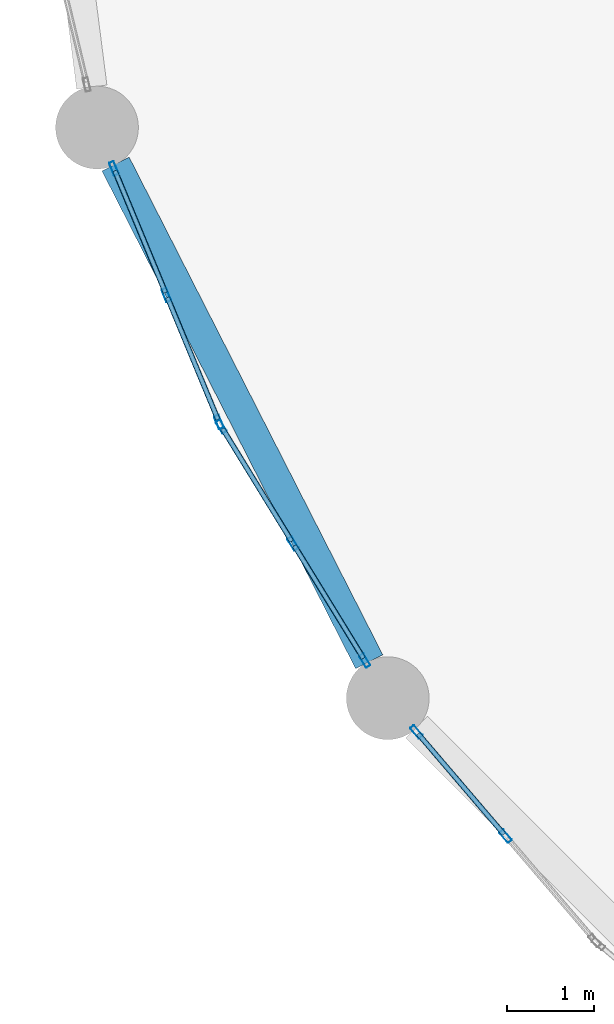
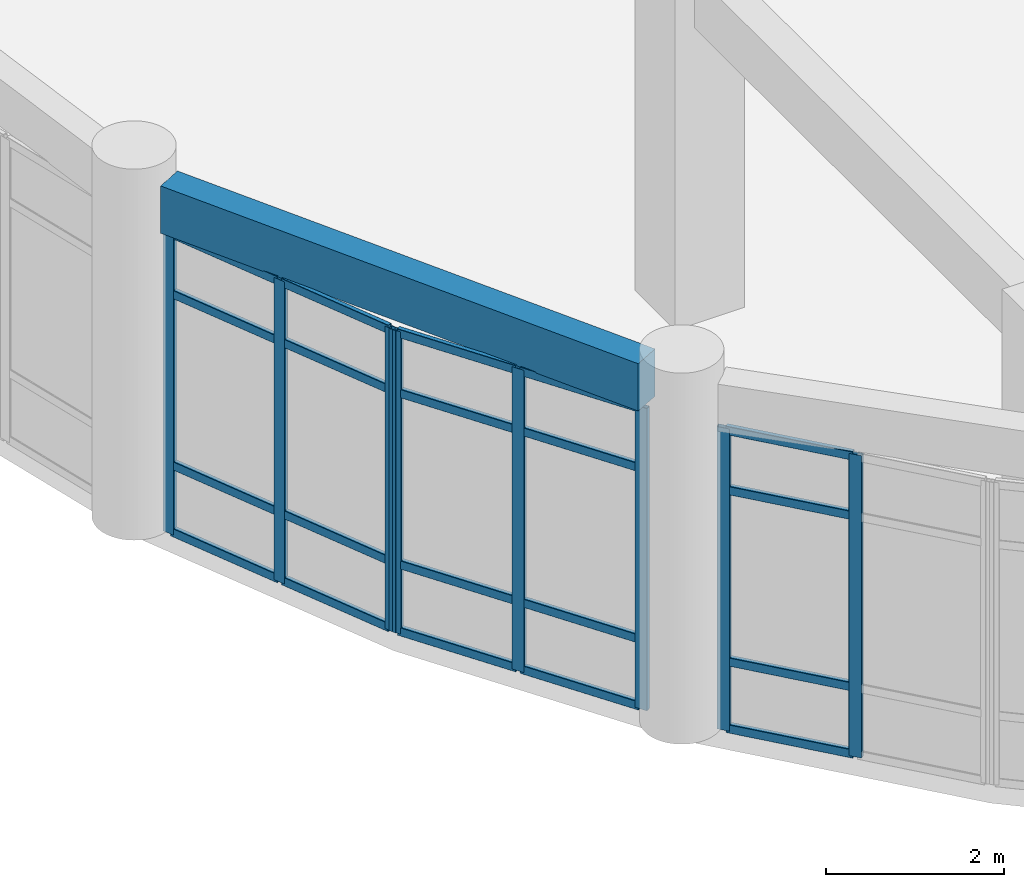
# One storey, part 3 of 120: 28 members, 1 beam, 3 elements without a shape of their own.
"""IFC4 building model written with IfcOpenShell, lengths in metres."""

from ifc_helpers import new_model, si_unit, derived_unit, direction, frame, origin, origin_2d, place, context, subcontext, project, spatial, rectangle, hollow_rectangle, extrude, material, layer, layer_set, material_profile, profile_set, type_object, element, aggregate, save


model = new_model("IFC4")

# Units and contexts
model_context = context("Model", 3, precision=1e-05, world=origin(), true_north=direction((0.0, 1.0)))
body_context = subcontext(model_context, "Body", "Model", "MODEL_VIEW")
ifc_project = project(units=[si_unit("LENGTHUNIT", "METRE"), si_unit("AREAUNIT", "SQUARE_METRE"), si_unit("VOLUMEUNIT", "CUBIC_METRE"), si_unit("PLANEANGLEUNIT", "RADIAN"), si_unit("MASSUNIT", "GRAM", prefix="KILO"), derived_unit("THERMALTRANSMITTANCEUNIT", [(si_unit("MASSUNIT", "GRAM", prefix="KILO"), 1), (si_unit("TIMEUNIT", "SECOND"), -3), (si_unit("THERMODYNAMICTEMPERATUREUNIT", "KELVIN"), -1)])], contexts=[model_context])

# Site, building, storey
site_placement = place(None, origin())
site = spatial("IfcSite", under=ifc_project, at=site_placement, CompositionType="ELEMENT")
building_placement = place(site_placement, origin())
building = spatial("IfcBuilding", under=site, at=building_placement, Name="Qinzheling Arcade Emporium", CompositionType="ELEMENT")
storey_placement = place(building_placement, frame((0.0, 0.0, 11.39990234375)))
storey = spatial("IfcBuildingStorey", under=building, at=storey_placement, Name="L03", CompositionType="ELEMENT", Elevation=11.39990234375)

# Curtain wall, members
ifc_material_1 = material(Name="Anodised aluminium and solar-control double glazing", Category="aluminium")
ifc_layer = layer(ifc_material_1, 0.159912109375, Name="Anodised aluminium and solar-control double glazing", Category="aluminium")
ifc_layer_set = layer_set([ifc_layer], Name="Anodised aluminium and solar-control double glazing")
curtain_wall_type = type_object("IfcCurtainWallType", Name="Curved Ribbon Sales Curtain Wall", PredefinedType="NOTDEFINED", material=ifc_layer_set)
curtain_wall_1_placement = place(storey_placement, origin())
curtain_wall_1 = element("IfcCurtainWall", 1, at=curtain_wall_1_placement, inside=storey, type_object=curtain_wall_type, Name="Curtain Wall CW-L03-158", PredefinedType="NOTDEFINED")
ifc_material_2 = material(Name="Anodised aluminium 6063-T6", Category="aluminium")
ifc_material_profile_1 = material_profile(ifc_material_2, hollow_rectangle(XDim=0.06005859375, YDim=0.159912109375, WallThickness=0.00390625, InnerFilletRadius=0.00390625, OuterFilletRadius=0.008056640625, at=origin_2d()), Name="RHS 160x60x4", Category="aluminium")
ifc_profile_set_1 = profile_set([ifc_material_profile_1], Name="Anodised aluminium 6063-T6")
member_type_1 = type_object("IfcMemberType", Name="Curtain Wall Mullion RHS160x60", PredefinedType="MULLION", material=ifc_profile_set_1)
member_1_placement = place(storey_placement, frame((5.840576171875, 8.103515625, 0.0), z_axis=(0.0, 0.0, 1.0), x_axis=(-0.760376883098, -0.649482098021, 0.0)))
member_1 = element("IfcMember", 2, at=member_1_placement, type_object=member_type_1, Name="CW02 mullion 2", PredefinedType="MULLION", context=body_context, shape_type="SweptSolid", body=[
    extrude(hollow_rectangle(XDim=0.06005859375, YDim=0.159912109375, WallThickness=0.00390625, InnerFilletRadius=0.00390625, OuterFilletRadius=0.008056640625, at=origin_2d()), origin(), (0.0, 0.0, 1.0), 4.155029296875),
])
member_2_placement = place(storey_placement, frame((4.8173828125, 9.30126953125, 0.0), z_axis=(0.0, 0.0, 1.0), x_axis=(-0.760376883098, -0.649482098021, 0.0)))
member_2 = element("IfcMember", 3, at=member_2_placement, type_object=member_type_1, Name="CW02 mullion 3", PredefinedType="MULLION", context=body_context, shape_type="SweptSolid", body=[
    extrude(hollow_rectangle(XDim=0.06005859375, YDim=0.159912109375, WallThickness=0.00390625, InnerFilletRadius=0.00390625, OuterFilletRadius=0.008056640625, at=origin_2d()), origin(), (0.0, 0.0, 1.0), 4.155029296875),
])

curtain_wall_2_placement = place(storey_placement, origin())
curtain_wall_2 = element("IfcCurtainWall", 4, at=curtain_wall_2_placement, inside=storey, type_object=curtain_wall_type, Name="Curtain Wall CW-L03-159", PredefinedType="NOTDEFINED")
member_3_placement = place(storey_placement, frame((4.223388671875, 10.11962890625, 0.0), z_axis=(0.0, 0.0, 1.0), x_axis=(-0.852534094696, -0.522671615243, 0.0)))
member_3 = element("IfcMember", 5, at=member_3_placement, type_object=member_type_1, Name="CW02 mullion 1", PredefinedType="MULLION", context=body_context, shape_type="SweptSolid", body=[
    extrude(hollow_rectangle(XDim=0.06005859375, YDim=0.159912109375, WallThickness=0.00390625, InnerFilletRadius=0.00390625, OuterFilletRadius=0.008056640625, at=origin_2d()), origin(), (0.0, 0.0, 1.0), 4.155029296875),
])
member_4_placement = place(storey_placement, frame((3.39990234375, 11.46240234375, 0.0), z_axis=(0.0, 0.0, 1.0), x_axis=(-0.852534094696, -0.522671615243, 0.0)))
member_4 = element("IfcMember", 6, at=member_4_placement, type_object=member_type_1, Name="CW02 mullion 2", PredefinedType="MULLION", context=body_context, shape_type="SweptSolid", body=[
    extrude(hollow_rectangle(XDim=0.06005859375, YDim=0.159912109375, WallThickness=0.00390625, InnerFilletRadius=0.00390625, OuterFilletRadius=0.008056640625, at=origin_2d()), origin(), (0.0, 0.0, 1.0), 4.155029296875),
])
member_5_placement = place(storey_placement, frame((2.57666015625, 12.805419921875, 0.0), z_axis=(0.0, 0.0, 1.0), x_axis=(-0.852534094696, -0.522671615243, 0.0)))
member_5 = element("IfcMember", 7, at=member_5_placement, type_object=member_type_1, Name="CW02 mullion 3", PredefinedType="MULLION", context=body_context, shape_type="SweptSolid", body=[
    extrude(hollow_rectangle(XDim=0.06005859375, YDim=0.159912109375, WallThickness=0.00390625, InnerFilletRadius=0.00390625, OuterFilletRadius=0.008056640625, at=origin_2d()), origin(), (0.0, 0.0, 1.0), 4.155029296875),
])

curtain_wall_3_placement = place(storey_placement, origin())
curtain_wall_3 = element("IfcCurtainWall", 8, at=curtain_wall_3_placement, inside=storey, type_object=curtain_wall_type, Name="Curtain Wall CW-L03-160", PredefinedType="NOTDEFINED")
member_6_placement = place(storey_placement, frame((2.549560546875, 12.858642578125, 0.0), z_axis=(0.0, 0.0, 1.0), x_axis=(-0.923940913117, -0.382535212849, 0.0)))
member_6 = element("IfcMember", 9, at=member_6_placement, type_object=member_type_1, Name="CW02 mullion 1", PredefinedType="MULLION", context=body_context, shape_type="SweptSolid", body=[
    extrude(hollow_rectangle(XDim=0.06005859375, YDim=0.159912109375, WallThickness=0.00390625, InnerFilletRadius=0.00390625, OuterFilletRadius=0.008056640625, at=origin_2d()), origin(), (0.0, 0.0, 1.0), 4.155029296875),
])
member_7_placement = place(storey_placement, frame((1.947021484375, 14.31396484375, 0.0), z_axis=(0.0, 0.0, 1.0), x_axis=(-0.923940913117, -0.382535212849, 0.0)))
member_7 = element("IfcMember", 10, at=member_7_placement, type_object=member_type_1, Name="CW02 mullion 2", PredefinedType="MULLION", context=body_context, shape_type="SweptSolid", body=[
    extrude(hollow_rectangle(XDim=0.06005859375, YDim=0.159912109375, WallThickness=0.00390625, InnerFilletRadius=0.00390625, OuterFilletRadius=0.008056640625, at=origin_2d()), origin(), (0.0, 0.0, 1.0), 4.155029296875),
])
member_8_placement = place(storey_placement, frame((1.344482421875, 15.769287109375, 0.0), z_axis=(0.0, 0.0, 1.0), x_axis=(-0.923940913117, -0.382535212849, 0.0)))
member_8 = element("IfcMember", 11, at=member_8_placement, type_object=member_type_1, Name="CW02 mullion 3", PredefinedType="MULLION", context=body_context, shape_type="SweptSolid", body=[
    extrude(hollow_rectangle(XDim=0.06005859375, YDim=0.159912109375, WallThickness=0.00390625, InnerFilletRadius=0.00390625, OuterFilletRadius=0.008056640625, at=origin_2d()), origin(), (0.0, 0.0, 1.0), 4.155029296875),
])

# Member
ifc_material_profile_2 = material_profile(ifc_material_2, hollow_rectangle(XDim=0.06005859375, YDim=0.1201171875, WallThickness=0.00390625, InnerFilletRadius=0.00390625, OuterFilletRadius=0.008056640625, at=origin_2d()), Name="RHS 120x60x4", Category="aluminium")
ifc_profile_set_2 = profile_set([ifc_material_profile_2], Name="Anodised aluminium 6063-T6")
member_type_2 = type_object("IfcMemberType", Name="Curtain Wall Transom RHS120x60", PredefinedType="USERDEFINED", material=ifc_profile_set_2)
member_9_placement = place(storey_placement, frame((5.821044921875, 8.126220703125, 0.030029296875), z_axis=(-0.64950331718, 0.760358758069, 0.0), x_axis=(-0.760358758069, -0.64950331718, 0.0)))
member_9 = element("IfcMember", 12, at=member_9_placement, type_object=member_type_2, Name="CW02 transom 2.1", ObjectType="TRANSOM", PredefinedType="USERDEFINED", context=body_context, shape_type="SweptSolid", body=[
    extrude(hollow_rectangle(XDim=0.06005859375, YDim=0.1201171875, WallThickness=0.00390625, InnerFilletRadius=0.00390625, OuterFilletRadius=0.008056640625, at=origin_2d()), origin(), (0.0, 0.0, 1.0), 1.51513671875),
])

member_10_placement = place(storey_placement, frame((5.821044921875, 8.126220703125, 0.9501953125), z_axis=(-0.64950331718, 0.760358758069, 0.0), x_axis=(-0.760358758069, -0.64950331718, 0.0)))
member_10 = element("IfcMember", 13, at=member_10_placement, type_object=member_type_2, Name="CW02 transom 2.2", ObjectType="TRANSOM", PredefinedType="USERDEFINED", context=body_context, shape_type="SweptSolid", body=[
    extrude(hollow_rectangle(XDim=0.06005859375, YDim=0.1201171875, WallThickness=0.00390625, InnerFilletRadius=0.00390625, OuterFilletRadius=0.008056640625, at=origin_2d()), origin(), (0.0, 0.0, 1.0), 1.51513671875),
])

member_11_placement = place(storey_placement, frame((5.821044921875, 8.126220703125, 3.30517578125), z_axis=(-0.64950331718, 0.760358758069, 0.0), x_axis=(-0.760358758069, -0.64950331718, 0.0)))
member_11 = element("IfcMember", 14, at=member_11_placement, type_object=member_type_2, Name="CW02 transom 2.3", ObjectType="TRANSOM", PredefinedType="USERDEFINED", context=body_context, shape_type="SweptSolid", body=[
    extrude(hollow_rectangle(XDim=0.06005859375, YDim=0.1201171875, WallThickness=0.00390625, InnerFilletRadius=0.00390625, OuterFilletRadius=0.008056640625, at=origin_2d()), origin(), (0.0, 0.0, 1.0), 1.51513671875),
])

member_12_placement = place(storey_placement, frame((5.821044921875, 8.126220703125, 4.125), z_axis=(-0.64950331718, 0.760358758069, 0.0), x_axis=(-0.760358758069, -0.64950331718, 0.0)))
member_12 = element("IfcMember", 15, at=member_12_placement, type_object=member_type_2, Name="CW02 transom 2.4", ObjectType="TRANSOM", PredefinedType="USERDEFINED", context=body_context, shape_type="SweptSolid", body=[
    extrude(hollow_rectangle(XDim=0.06005859375, YDim=0.1201171875, WallThickness=0.00390625, InnerFilletRadius=0.00390625, OuterFilletRadius=0.008056640625, at=origin_2d()), origin(), (0.0, 0.0, 1.0), 1.51513671875),
])

aggregate(curtain_wall_1, [member_1, member_2, member_9, member_10, member_11, member_12])

member_13_placement = place(storey_placement, frame((4.20751953125, 10.145263671875, 0.030029296875), z_axis=(-0.522577172345, 0.852591988553, 0.0), x_axis=(-0.852591988553, -0.522577172345, 0.0)))
member_13 = element("IfcMember", 16, at=member_13_placement, type_object=member_type_2, Name="CW02 transom 1.1", ObjectType="TRANSOM", PredefinedType="USERDEFINED", context=body_context, shape_type="SweptSolid", body=[
    extrude(hollow_rectangle(XDim=0.06005859375, YDim=0.1201171875, WallThickness=0.00390625, InnerFilletRadius=0.00390625, OuterFilletRadius=0.008056640625, at=origin_2d()), origin(), (0.0, 0.0, 1.0), 1.51513671875),
])

member_14_placement = place(storey_placement, frame((4.20751953125, 10.145263671875, 0.9501953125), z_axis=(-0.522577172345, 0.852591988553, 0.0), x_axis=(-0.852591988553, -0.522577172345, 0.0)))
member_14 = element("IfcMember", 17, at=member_14_placement, type_object=member_type_2, Name="CW02 transom 1.2", ObjectType="TRANSOM", PredefinedType="USERDEFINED", context=body_context, shape_type="SweptSolid", body=[
    extrude(hollow_rectangle(XDim=0.06005859375, YDim=0.1201171875, WallThickness=0.00390625, InnerFilletRadius=0.00390625, OuterFilletRadius=0.008056640625, at=origin_2d()), origin(), (0.0, 0.0, 1.0), 1.51513671875),
])

member_15_placement = place(storey_placement, frame((4.20751953125, 10.145263671875, 3.30517578125), z_axis=(-0.522577172345, 0.852591988553, 0.0), x_axis=(-0.852591988553, -0.522577172345, 0.0)))
member_15 = element("IfcMember", 18, at=member_15_placement, type_object=member_type_2, Name="CW02 transom 1.3", ObjectType="TRANSOM", PredefinedType="USERDEFINED", context=body_context, shape_type="SweptSolid", body=[
    extrude(hollow_rectangle(XDim=0.06005859375, YDim=0.1201171875, WallThickness=0.00390625, InnerFilletRadius=0.00390625, OuterFilletRadius=0.008056640625, at=origin_2d()), origin(), (0.0, 0.0, 1.0), 1.51513671875),
])

member_16_placement = place(storey_placement, frame((4.20751953125, 10.145263671875, 4.125), z_axis=(-0.522577172345, 0.852591988553, 0.0), x_axis=(-0.852591988553, -0.522577172345, 0.0)))
member_16 = element("IfcMember", 19, at=member_16_placement, type_object=member_type_2, Name="CW02 transom 1.4", ObjectType="TRANSOM", PredefinedType="USERDEFINED", context=body_context, shape_type="SweptSolid", body=[
    extrude(hollow_rectangle(XDim=0.06005859375, YDim=0.1201171875, WallThickness=0.00390625, InnerFilletRadius=0.00390625, OuterFilletRadius=0.008056640625, at=origin_2d()), origin(), (0.0, 0.0, 1.0), 1.51513671875),
])

member_17_placement = place(storey_placement, frame((3.38427734375, 11.488037109375, 0.030029296875), z_axis=(-0.522694292361, 0.852520191393, 0.0), x_axis=(-0.852520191393, -0.522694292361, 0.0)))
member_17 = element("IfcMember", 20, at=member_17_placement, type_object=member_type_2, Name="CW02 transom 2.1", ObjectType="TRANSOM", PredefinedType="USERDEFINED", context=body_context, shape_type="SweptSolid", body=[
    extrude(hollow_rectangle(XDim=0.06005859375, YDim=0.1201171875, WallThickness=0.00390625, InnerFilletRadius=0.00390625, OuterFilletRadius=0.008056640625, at=origin_2d()), origin(), (0.0, 0.0, 1.0), 1.51513671875),
])

member_18_placement = place(storey_placement, frame((3.38427734375, 11.488037109375, 0.9501953125), z_axis=(-0.522694292361, 0.852520191393, 0.0), x_axis=(-0.852520191393, -0.522694292361, 0.0)))
member_18 = element("IfcMember", 21, at=member_18_placement, type_object=member_type_2, Name="CW02 transom 2.2", ObjectType="TRANSOM", PredefinedType="USERDEFINED", context=body_context, shape_type="SweptSolid", body=[
    extrude(hollow_rectangle(XDim=0.06005859375, YDim=0.1201171875, WallThickness=0.00390625, InnerFilletRadius=0.00390625, OuterFilletRadius=0.008056640625, at=origin_2d()), origin(), (0.0, 0.0, 1.0), 1.51513671875),
])

member_19_placement = place(storey_placement, frame((3.38427734375, 11.488037109375, 3.30517578125), z_axis=(-0.522694292361, 0.852520191393, 0.0), x_axis=(-0.852520191393, -0.522694292361, 0.0)))
member_19 = element("IfcMember", 22, at=member_19_placement, type_object=member_type_2, Name="CW02 transom 2.3", ObjectType="TRANSOM", PredefinedType="USERDEFINED", context=body_context, shape_type="SweptSolid", body=[
    extrude(hollow_rectangle(XDim=0.06005859375, YDim=0.1201171875, WallThickness=0.00390625, InnerFilletRadius=0.00390625, OuterFilletRadius=0.008056640625, at=origin_2d()), origin(), (0.0, 0.0, 1.0), 1.51513671875),
])

member_20_placement = place(storey_placement, frame((3.38427734375, 11.488037109375, 4.125), z_axis=(-0.522694292361, 0.852520191393, 0.0), x_axis=(-0.852520191393, -0.522694292361, 0.0)))
member_20 = element("IfcMember", 23, at=member_20_placement, type_object=member_type_2, Name="CW02 transom 2.4", ObjectType="TRANSOM", PredefinedType="USERDEFINED", context=body_context, shape_type="SweptSolid", body=[
    extrude(hollow_rectangle(XDim=0.06005859375, YDim=0.1201171875, WallThickness=0.00390625, InnerFilletRadius=0.00390625, OuterFilletRadius=0.008056640625, at=origin_2d()), origin(), (0.0, 0.0, 1.0), 1.51513671875),
])

aggregate(curtain_wall_2, [member_3, member_4, member_5, member_13, member_14, member_15, member_16, member_17, member_18, member_19, member_20])

member_21_placement = place(storey_placement, frame((2.5380859375, 12.886474609375, 0.030029296875), z_axis=(-0.382532059197, 0.923942218803, 0.0), x_axis=(-0.923942218803, -0.382532059197, 0.0)))
member_21 = element("IfcMember", 24, at=member_21_placement, type_object=member_type_2, Name="CW02 transom 1.1", ObjectType="TRANSOM", PredefinedType="USERDEFINED", context=body_context, shape_type="SweptSolid", body=[
    extrude(hollow_rectangle(XDim=0.06005859375, YDim=0.1201171875, WallThickness=0.00390625, InnerFilletRadius=0.00390625, OuterFilletRadius=0.008056640625, at=origin_2d()), origin(), (0.0, 0.0, 1.0), 1.51513671875),
])

member_22_placement = place(storey_placement, frame((2.5380859375, 12.886474609375, 0.9501953125), z_axis=(-0.382532059197, 0.923942218803, 0.0), x_axis=(-0.923942218803, -0.382532059197, 0.0)))
member_22 = element("IfcMember", 25, at=member_22_placement, type_object=member_type_2, Name="CW02 transom 1.2", ObjectType="TRANSOM", PredefinedType="USERDEFINED", context=body_context, shape_type="SweptSolid", body=[
    extrude(hollow_rectangle(XDim=0.06005859375, YDim=0.1201171875, WallThickness=0.00390625, InnerFilletRadius=0.00390625, OuterFilletRadius=0.008056640625, at=origin_2d()), origin(), (0.0, 0.0, 1.0), 1.51513671875),
])

member_23_placement = place(storey_placement, frame((2.5380859375, 12.886474609375, 3.30517578125), z_axis=(-0.382532059197, 0.923942218803, 0.0), x_axis=(-0.923942218803, -0.382532059197, 0.0)))
member_23 = element("IfcMember", 26, at=member_23_placement, type_object=member_type_2, Name="CW02 transom 1.3", ObjectType="TRANSOM", PredefinedType="USERDEFINED", context=body_context, shape_type="SweptSolid", body=[
    extrude(hollow_rectangle(XDim=0.06005859375, YDim=0.1201171875, WallThickness=0.00390625, InnerFilletRadius=0.00390625, OuterFilletRadius=0.008056640625, at=origin_2d()), origin(), (0.0, 0.0, 1.0), 1.51513671875),
])

member_24_placement = place(storey_placement, frame((2.5380859375, 12.886474609375, 4.125), z_axis=(-0.382532059197, 0.923942218803, 0.0), x_axis=(-0.923942218803, -0.382532059197, 0.0)))
member_24 = element("IfcMember", 27, at=member_24_placement, type_object=member_type_2, Name="CW02 transom 1.4", ObjectType="TRANSOM", PredefinedType="USERDEFINED", context=body_context, shape_type="SweptSolid", body=[
    extrude(hollow_rectangle(XDim=0.06005859375, YDim=0.1201171875, WallThickness=0.00390625, InnerFilletRadius=0.00390625, OuterFilletRadius=0.008056640625, at=origin_2d()), origin(), (0.0, 0.0, 1.0), 1.51513671875),
])

member_25_placement = place(storey_placement, frame((1.935546875, 14.341796875, 0.030029296875), z_axis=(-0.382589017743, 0.923918634676, 0.0), x_axis=(-0.923918634676, -0.382589017743, 0.0)))
member_25 = element("IfcMember", 28, at=member_25_placement, type_object=member_type_2, Name="CW02 transom 2.1", ObjectType="TRANSOM", PredefinedType="USERDEFINED", context=body_context, shape_type="SweptSolid", body=[
    extrude(hollow_rectangle(XDim=0.06005859375, YDim=0.1201171875, WallThickness=0.00390625, InnerFilletRadius=0.00390625, OuterFilletRadius=0.008056640625, at=origin_2d()), origin(), (0.0, 0.0, 1.0), 1.514892578125),
])

member_26_placement = place(storey_placement, frame((1.935546875, 14.341796875, 0.9501953125), z_axis=(-0.382589017743, 0.923918634676, 0.0), x_axis=(-0.923918634676, -0.382589017743, 0.0)))
member_26 = element("IfcMember", 29, at=member_26_placement, type_object=member_type_2, Name="CW02 transom 2.2", ObjectType="TRANSOM", PredefinedType="USERDEFINED", context=body_context, shape_type="SweptSolid", body=[
    extrude(hollow_rectangle(XDim=0.06005859375, YDim=0.1201171875, WallThickness=0.00390625, InnerFilletRadius=0.00390625, OuterFilletRadius=0.008056640625, at=origin_2d()), origin(), (0.0, 0.0, 1.0), 1.514892578125),
])

member_27_placement = place(storey_placement, frame((1.935546875, 14.341796875, 3.30517578125), z_axis=(-0.382589017743, 0.923918634676, 0.0), x_axis=(-0.923918634676, -0.382589017743, 0.0)))
member_27 = element("IfcMember", 30, at=member_27_placement, type_object=member_type_2, Name="CW02 transom 2.3", ObjectType="TRANSOM", PredefinedType="USERDEFINED", context=body_context, shape_type="SweptSolid", body=[
    extrude(hollow_rectangle(XDim=0.06005859375, YDim=0.1201171875, WallThickness=0.00390625, InnerFilletRadius=0.00390625, OuterFilletRadius=0.008056640625, at=origin_2d()), origin(), (0.0, 0.0, 1.0), 1.514892578125),
])

member_28_placement = place(storey_placement, frame((1.935546875, 14.341796875, 4.125), z_axis=(-0.382589017743, 0.923918634676, 0.0), x_axis=(-0.923918634676, -0.382589017743, 0.0)))
member_28 = element("IfcMember", 31, at=member_28_placement, type_object=member_type_2, Name="CW02 transom 2.4", ObjectType="TRANSOM", PredefinedType="USERDEFINED", context=body_context, shape_type="SweptSolid", body=[
    extrude(hollow_rectangle(XDim=0.06005859375, YDim=0.1201171875, WallThickness=0.00390625, InnerFilletRadius=0.00390625, OuterFilletRadius=0.008056640625, at=origin_2d()), origin(), (0.0, 0.0, 1.0), 1.514892578125),
])

aggregate(curtain_wall_3, [member_6, member_7, member_8, member_21, member_22, member_23, member_24, member_25, member_26, member_27, member_28])

# Beam
ifc_material_3 = material(Name="Concrete C40", Category="concrete")
ifc_material_profile_3 = material_profile(ifc_material_3, rectangle(XDim=0.35009765625, YDim=0.64990234375, at=origin_2d()), Name="RC 350x650", Category="concrete")
ifc_profile_set_3 = profile_set([ifc_material_profile_3], Name="Concrete C40")
beam_type = type_object("IfcBeamType", Name="RC Spandrel Edge Beam 350x650 C40", PredefinedType="SPANDREL", material=ifc_profile_set_3)
beam_placement = place(storey_placement, frame((1.363037109375, 15.819091796875, 4.4951171875), z_axis=(0.454099157657, -0.890951151868, 0.0), x_axis=(0.890951151868, 0.454099157657, 0.0)))
element("IfcBeam", 32, at=beam_placement, inside=storey, type_object=beam_type, Name="Curved Arcade Spandrel BM-L03-CV1-B02", PredefinedType="SPANDREL", context=body_context, shape_type="SweptSolid", body=[
    extrude(rectangle(XDim=0.35009765625, YDim=0.64990234375, at=origin_2d()), origin(), (0.0, 0.0, 1.0), 6.412353515625),
])

save(model, "model.ifc")
